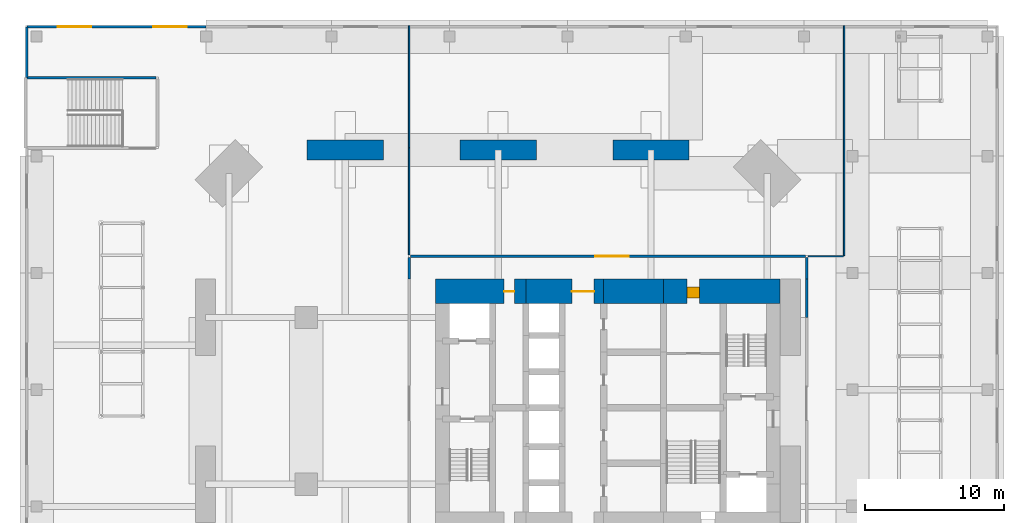
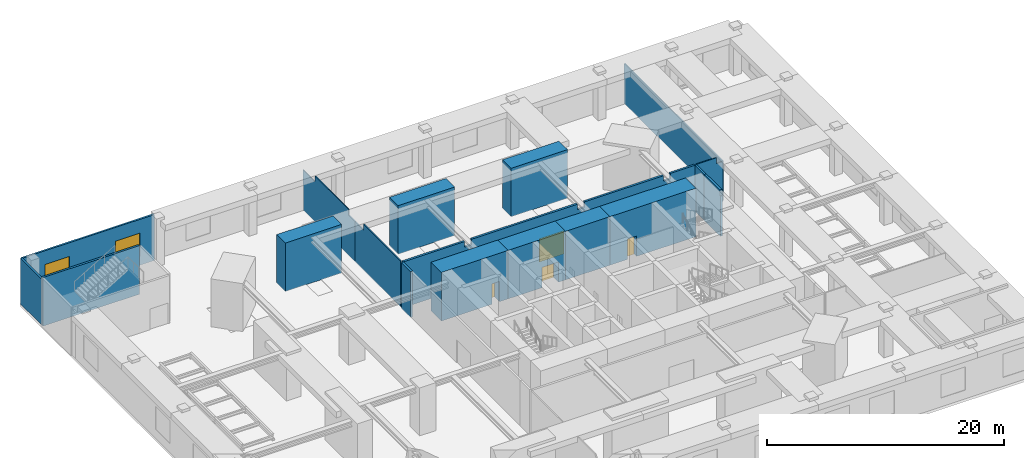
# One storey, part 13 of 17: 18 walls, 4 doors, 2 windows, 6 openings.
"""IFC4 building model written with IfcOpenShell, lengths in metres."""

from ifc_helpers import new_model, si_unit, direction, frame, frame_2d, origin, place, context, subcontext, project, spatial, polyline, rectangle, outline, extrude, material, layer, layer_set, constituent, constituent_set, type_object, element, fill, save


model = new_model("IFC4")

# Units and contexts
model_context = context("Model", 3, precision=1e-05, world=origin(), true_north=direction((0.0, 1.0)))
body_context = subcontext(model_context, "Body", "Model", "MODEL_VIEW")
ifc_project = project(units=[si_unit("LENGTHUNIT", "METRE"), si_unit("AREAUNIT", "SQUARE_METRE"), si_unit("VOLUMEUNIT", "CUBIC_METRE"), si_unit("PLANEANGLEUNIT", "RADIAN"), si_unit("MASSUNIT", "GRAM", prefix="KILO")], contexts=[model_context])

# Site, building, storey
site_placement = place(None, origin())
site = spatial("IfcSite", under=ifc_project, at=site_placement, CompositionType="ELEMENT")
building_placement = place(site_placement, origin())
building = spatial("IfcBuilding", under=site, at=building_placement, Name="Jalousie Tower", CompositionType="ELEMENT")
storey_placement = place(building_placement, frame((0.0, 0.0, 16.0)))
storey = spatial("IfcBuildingStorey", under=building, at=storey_placement, Name="L03", CompositionType="ELEMENT", Elevation=16.0)

# Wall, opening, door
ifc_material_1 = material(Name="Concrete f'c 120 MPa", Category="concrete")
ifc_layer_1 = layer(ifc_material_1, 1.75)
ifc_layer_set_1 = layer_set([ifc_layer_1], Name="Concrete f'c 120 MPa")
wall_type_1 = type_object("IfcWallType", Name="CORE WALL 1750", PredefinedType="SHEAR", material=ifc_layer_set_1)
wall_1_placement = place(storey_placement, frame((44.300048828125, 26.875, 0.0), z_axis=(0.0, 0.0, 1.0), x_axis=(-1.0, 0.0, 0.0)))
wall_1 = element("IfcWall", 1, at=wall_1_placement, inside=storey, type_object=wall_type_1, Name="Core wall NA L03", PredefinedType="SHEAR", context=body_context, shape_type="SweptSolid", body=[
    extrude(rectangle(XDim=8.400146484375, YDim=1.75, at=frame_2d((4.2001953125, 0.0))), origin(), (0.0, 0.0, 1.0), 5.0),
])
opening_1_placement = place(wall_1_placement, frame((5.800048828125, 0.0, 0.0)))
opening_1 = element("IfcOpeningElement", 2, at=opening_1_placement, cuts=wall_1, Name="Opening D26", PredefinedType="OPENING", context=body_context, shape_type="SweptSolid", body=[
    extrude(rectangle(XDim=0.89990234375, YDim=2.10009765625, at=frame_2d((0.449951171875, 1.050048828125))), frame((0.0, 0.885009765625, 0.0), z_axis=(0.0, -1.0, 0.0), x_axis=(1.0, 0.0, 0.0)), (0.0, 0.0, 1.0), 1.77001953125),
])
ifc_material_2 = material(Name="Steel fire door", Category="steel")
door_type_1 = type_object("IfcDoorType", Name="HOUSEKEEPING STORE DOOR 900", OperationType="SINGLE_SWING_LEFT", PredefinedType="DOOR", material=ifc_material_2)
door_1_placement = place(opening_1_placement, origin())
door_1 = element("IfcDoor", 3, at=door_1_placement, inside=storey, type_object=door_type_1, Name="Housekeeping store door", OperationType="SINGLE_SWING_RIGHT", OverallHeight=2.10009765625, OverallWidth=0.89990234375, PredefinedType="DOOR", context=body_context, shape_type="SweptSolid", body=[
    extrude(rectangle(XDim=0.89990234375, YDim=2.10009765625, at=frame_2d((0.449951171875, 1.050048828125))), frame((0.0, 0.47021484375, 0.0), z_axis=(0.0, -1.0, 0.0), x_axis=(1.0, 0.0, 0.0)), (0.0, 0.0, 1.0), 0.800048828125),
])
fill(opening_1, door_1)

# Wall
wall_2_placement = place(storey_placement, frame((35.89990234375, 26.875, 0.0), z_axis=(0.0, 0.0, 1.0), x_axis=(-1.0, 0.0, 0.0)))
element("IfcWall", 4, at=wall_2_placement, inside=storey, type_object=wall_type_1, Name="Core wall NB L03", PredefinedType="SHEAR", context=body_context, shape_type="SweptSolid", body=[
    extrude(rectangle(XDim=4.2998046875, YDim=1.75, at=frame_2d((2.14990234375, 0.0))), origin(), (0.0, 0.0, 1.0), 5.0),
])

# Wall, opening, door
wall_3_placement = place(storey_placement, frame((31.60009765625, 26.875, 0.0), z_axis=(0.0, 0.0, 1.0), x_axis=(-1.0, 0.0, 0.0)))
wall_3 = element("IfcWall", 5, at=wall_3_placement, inside=storey, type_object=wall_type_1, Name="Core wall NC L03", PredefinedType="SHEAR", context=body_context, shape_type="SweptSolid", body=[
    extrude(rectangle(XDim=5.60009765625, YDim=1.75, at=frame_2d((2.800048828125, 0.0))), origin(), (0.0, 0.0, 1.0), 5.0),
])
opening_2_placement = place(wall_3_placement, frame((0.699951171875, 0.0, 0.0)))
opening_2 = element("IfcOpeningElement", 6, at=opening_2_placement, cuts=wall_3, Name="Opening D15", PredefinedType="OPENING", context=body_context, shape_type="SweptSolid", body=[
    extrude(rectangle(XDim=1.60009765625, YDim=2.10009765625, at=frame_2d((0.800048828125, 1.050048828125))), frame((0.0, 0.885009765625, 0.0), z_axis=(0.0, -1.0, 0.0), x_axis=(1.0, 0.0, 0.0)), (0.0, 0.0, 1.0), 1.77001953125),
])
ifc_material_3 = material(Name="Steel fire door", Category="steel")
door_type_2 = type_object("IfcDoorType", Name="LIFT LOBBY DOOR 1600", OperationType="DOUBLE_DOOR_SINGLE_SWING", PredefinedType="DOOR", material=ifc_material_3)
door_2_placement = place(opening_2_placement, origin())
door_2 = element("IfcDoor", 7, at=door_2_placement, inside=storey, type_object=door_type_2, Name="Lift lobby north door", OperationType="DOUBLE_DOOR_SINGLE_SWING", OverallHeight=2.10009765625, OverallWidth=1.60009765625, PredefinedType="DOOR", context=body_context, shape_type="SweptSolid", body=[
    extrude(rectangle(XDim=1.60009765625, YDim=2.10009765625, at=frame_2d((0.800048828125, 1.050048828125))), frame((0.0, 0.02490234375, 0.0), z_axis=(0.0, -1.0, 0.0), x_axis=(1.0, 0.0, 0.0)), (0.0, 0.0, 1.0), 0.050048828125),
])
fill(opening_2, door_2)

wall_4_placement = place(storey_placement, frame((26.0, 26.875, 0.0), z_axis=(0.0, 0.0, 1.0), x_axis=(-1.0, 0.0, 0.0)))
wall_4 = element("IfcWall", 8, at=wall_4_placement, inside=storey, type_object=wall_type_1, Name="Core wall ND L03", PredefinedType="SHEAR", context=body_context, shape_type="SweptSolid", body=[
    extrude(rectangle(XDim=6.5, YDim=1.75, at=frame_2d((3.25, 0.0))), origin(), (0.0, 0.0, 1.0), 5.0),
])
opening_3_placement = place(wall_4_placement, frame((0.824951171875, 0.0, 0.0)))
opening_3 = element("IfcOpeningElement", 9, at=opening_3_placement, cuts=wall_4, Name="Opening D16", PredefinedType="OPENING", context=body_context, shape_type="SweptSolid", body=[
    extrude(rectangle(XDim=0.75, YDim=2.10009765625, at=frame_2d((0.375, 1.050048828125))), frame((0.0, 0.885009765625, 0.0), z_axis=(0.0, -1.0, 0.0), x_axis=(1.0, 0.0, 0.0)), (0.0, 0.0, 1.0), 1.77001953125),
])
ifc_material_4 = material(Name="Steel fire door", Category="steel")
door_type_3 = type_object("IfcDoorType", Name="RISER DOOR 750", OperationType="SINGLE_SWING_LEFT", PredefinedType="DOOR", material=ifc_material_4)
door_3_placement = place(opening_3_placement, origin())
door_3 = element("IfcDoor", 10, at=door_3_placement, inside=storey, type_object=door_type_3, Name="North riser door", OperationType="SINGLE_SWING_RIGHT", OverallHeight=2.10009765625, OverallWidth=0.75, PredefinedType="DOOR", context=body_context, shape_type="SweptSolid", body=[
    extrude(rectangle(XDim=0.75, YDim=2.10009765625, at=frame_2d((0.375, 1.050048828125))), frame((0.0, 0.02490234375, 0.0), z_axis=(0.0, -1.0, 0.0), x_axis=(1.0, 0.0, 0.0)), (0.0, 0.0, 1.0), 0.050048828125),
])
fill(opening_3, door_3)

# Wall
ifc_material_5 = material(Name="Concrete block ASTM C90", Category="concrete")
ifc_constituent_1 = constituent(ifc_material_5, Name="Body")
ifc_material_6 = material(Name="Render")
ifc_constituent_2 = constituent(ifc_material_6, Name="Finish")
ifc_constituent_set_1 = constituent_set(constituents=[ifc_constituent_1, ifc_constituent_2])
wall_type_2 = type_object("IfcWallType", Name="CORRIDOR WALL 200", PredefinedType="PARTITIONING", material=ifc_constituent_set_1)
wall_5_placement = place(storey_placement, frame((17.60009765625, 27.75, 0.0), z_axis=(0.0, 0.0, 1.0), x_axis=(0.0, 1.0, 0.0)))
element("IfcWall", 11, at=wall_5_placement, inside=storey, type_object=wall_type_2, Name="Corridor Wall 200 L03", PredefinedType="PARTITIONING", context=body_context, shape_type="SweptSolid", body=[
    extrude(rectangle(XDim=1.550048828125, YDim=0.199951171875, at=frame_2d((0.77490234375, 0.0))), origin(), (0.0, 0.0, 1.0), 4.719970703125),
])

# Wall, opening, door
wall_6_placement = place(storey_placement, frame((17.699951171875, 29.39990234375, 0.0), z_axis=(0.0, 0.0, 1.0), x_axis=(1.0, 0.0, 0.0)))
wall_6 = element("IfcWall", 12, at=wall_6_placement, inside=storey, type_object=wall_type_2, Name="Corridor Wall 200 L03", PredefinedType="PARTITIONING", context=body_context, shape_type="SweptSolid", body=[
    extrude(outline(polyline([(0.0, 0.0), (28.400146484375, 0.0), (28.39990234375, 4.719970703125), (26.005859375, 4.719970703125), (26.005859375, 4.15087890625), (25.331298828125, 4.15087890625), (25.331298828125, 4.719970703125), (17.63720703125, 4.719970703125), (17.63720703125, 4.15087890625), (16.962646484375, 4.15087890625), (16.962646484375, 4.719970703125), (6.63720703125, 4.719970703125), (6.63720703125, 4.15087890625), (5.962646484375, 4.15087890625), (5.962646484375, 4.719970703125), (0.0, 4.719970703125), (0.0, 0.0)])), frame((0.0, 0.10009765625, 0.0), z_axis=(0.0, -1.0, 0.0), x_axis=(1.0, 0.0, 0.0)), (0.0, 0.0, 1.0), 0.199951171875),
])
opening_4_placement = place(wall_6_placement, frame((13.300048828125, 0.0, 0.0)))
opening_4 = element("IfcOpeningElement", 13, at=opening_4_placement, cuts=wall_6, Name="Opening D9", PredefinedType="OPENING", context=body_context, shape_type="SweptSolid", body=[
    extrude(rectangle(XDim=2.39990234375, YDim=2.39990234375, at=frame_2d((1.199951171875, 1.199951171875))), frame((0.0, 0.10986328125, 0.0), z_axis=(0.0, -1.0, 0.0), x_axis=(1.0, 0.0, 0.0)), (0.0, 0.0, 1.0), 0.219970703125),
])
ifc_material_7 = material(Name="Steel fire door", Category="steel")
door_type_4 = type_object("IfcDoorType", Name="PLANT DOOR 2400", OperationType="DOUBLE_DOOR_SINGLE_SWING", PredefinedType="DOOR", material=ifc_material_7)
door_4_placement = place(opening_4_placement, origin())
door_4 = element("IfcDoor", 14, at=door_4_placement, inside=storey, type_object=door_type_4, Name="Water tank room door", OperationType="DOUBLE_DOOR_SINGLE_SWING", OverallHeight=2.39990234375, OverallWidth=2.39990234375, PredefinedType="DOOR", context=body_context, shape_type="SweptSolid", body=[
    extrude(rectangle(XDim=2.39990234375, YDim=2.39990234375, at=frame_2d((1.199951171875, 1.199951171875))), frame((0.0, 0.02490234375, 0.0), z_axis=(0.0, -1.0, 0.0), x_axis=(1.0, 0.0, 0.0)), (0.0, 0.0, 1.0), 0.050048828125),
])
fill(opening_4, door_4)

# Walls
wall_7_placement = place(storey_placement, frame((46.199951171875, 27.75, 0.0), z_axis=(0.0, 0.0, 1.0), x_axis=(0.0, 1.0, 0.0)))
element("IfcWall", 15, at=wall_7_placement, inside=storey, type_object=wall_type_2, Name="Corridor Wall 200 L03", PredefinedType="PARTITIONING", context=body_context, shape_type="SweptSolid", body=[
    extrude(rectangle(XDim=1.550048828125, YDim=0.199951171875, at=frame_2d((0.77490234375, 0.0))), origin(), (0.0, 0.0, 1.0), 4.719970703125),
])
wall_8_placement = place(storey_placement, frame((46.199951171875, 25.0, 0.0), z_axis=(0.0, 0.0, 1.0), x_axis=(0.0, 1.0, 0.0)))
element("IfcWall", 16, at=wall_8_placement, inside=storey, type_object=wall_type_2, Name="Corridor Wall 200 L03-C", PredefinedType="PARTITIONING", context=body_context, shape_type="SweptSolid", body=[
    extrude(outline(polyline([(0.0, 0.0), (2.75, 0.0), (2.75, 4.719970703125), (0.110107421875, 4.719970703125), (0.110107421875, 4.1201171875), (0.0, 4.1201171875), (0.0, 0.0)])), frame((0.0, 0.10009765625, 0.0), z_axis=(0.0, -1.0, 0.0), x_axis=(1.0, 0.0, 0.0)), (0.0, 0.0, 1.0), 0.199951171875),
])

# Wall, openings, windows
ifc_material_8 = material(Name="Concrete f'c 40 MPa", Category="concrete")
ifc_constituent_3 = constituent(ifc_material_8, Name="Body")
ifc_material_9 = material(Name="Render, pastel coral")
ifc_constituent_4 = constituent(ifc_material_9, Name="Finish")
ifc_constituent_set_2 = constituent_set(constituents=[ifc_constituent_3, ifc_constituent_4])
wall_type_3 = type_object("IfcWallType", Name="EXTERNAL WALL 175 CORAL RENDER", PredefinedType="SOLIDWALL", material=ifc_constituent_set_2)
wall_9_placement = place(storey_placement, frame((3.0, 45.91259765625, 0.0), z_axis=(0.0, 0.0, 1.0), x_axis=(-1.0, 0.0, 0.0)))
wall_9 = element("IfcWall", 17, at=wall_9_placement, inside=storey, type_object=wall_type_3, Name="External Wall 175 Coral Render L03-C", PredefinedType="SOLIDWALL", context=body_context, shape_type="SweptSolid", body=[
    extrude(rectangle(XDim=12.91259765625, YDim=0.175048828125, at=frame_2d((6.456298828125, 0.0))), origin(), (0.0, 0.0, 1.0), 4.719970703125),
])
opening_5_placement = place(wall_9_placement, frame((1.4140625, 0.0, 0.89990234375)))
opening_5 = element("IfcOpeningElement", 18, at=opening_5_placement, cuts=wall_9, Name="Opening W-PLANT", PredefinedType="OPENING", context=body_context, shape_type="SweptSolid", body=[
    extrude(rectangle(XDim=2.39990234375, YDim=2.39990234375, at=frame_2d((1.199951171875, 1.199951171875))), frame((0.0, 0.097412109375, 0.0), z_axis=(0.0, -1.0, 0.0), x_axis=(1.0, 0.0, 0.0)), (0.0, 0.0, 1.0), 0.195068359375),
])
opening_6_placement = place(wall_9_placement, frame((8.27978515625, 0.0, 0.89990234375)))
opening_6 = element("IfcOpeningElement", 19, at=opening_6_placement, cuts=wall_9, Name="Opening W-PLANT", PredefinedType="OPENING", context=body_context, shape_type="SweptSolid", body=[
    extrude(rectangle(XDim=2.39990234375, YDim=2.39990234375, at=frame_2d((1.199951171875, 1.199951171875))), frame((0.0, 0.097412109375, 0.0), z_axis=(0.0, -1.0, 0.0), x_axis=(1.0, 0.0, 0.0)), (0.0, 0.0, 1.0), 0.195068359375),
])
ifc_material_10 = material(Name="Aluminium frame, impact-rated glazing", Category="aluminium")
window_type = type_object("IfcWindowType", Name="WINDOW PLANT 2400x2400", PartitioningType="DOUBLE_PANEL_VERTICAL", PredefinedType="WINDOW", material=ifc_material_10)
window_1_placement = place(opening_5_placement, origin())
window_1 = element("IfcWindow", 20, at=window_1_placement, inside=storey, type_object=window_type, Name="Mechanical plant room louvre", OverallHeight=2.39990234375, OverallWidth=2.39990234375, PartitioningType="SINGLE_PANEL", PredefinedType="WINDOW", context=body_context, shape_type="SweptSolid", body=[
    extrude(rectangle(XDim=2.39990234375, YDim=2.39990234375, at=frame_2d((1.199951171875, 1.199951171875))), frame((0.0, 0.030029296875, 0.0), z_axis=(0.0, -1.0, 0.0), x_axis=(1.0, 0.0, 0.0)), (0.0, 0.0, 1.0), 0.06005859375),
])
fill(opening_5, window_1)
window_2_placement = place(opening_6_placement, origin())
window_2 = element("IfcWindow", 21, at=window_2_placement, inside=storey, type_object=window_type, Name="Mechanical plant room louvre", OverallHeight=2.39990234375, OverallWidth=2.39990234375, PartitioningType="SINGLE_PANEL", PredefinedType="WINDOW", context=body_context, shape_type="SweptSolid", body=[
    extrude(rectangle(XDim=2.39990234375, YDim=2.39990234375, at=frame_2d((1.199951171875, 1.199951171875))), frame((0.0, 0.030029296875, 0.0), z_axis=(0.0, -1.0, 0.0), x_axis=(1.0, 0.0, 0.0)), (0.0, 0.0, 1.0), 0.06005859375),
])
fill(opening_6, window_2)

# Walls
wall_10_placement = place(storey_placement, frame((-9.91259765625, 45.91259765625, 0.0), z_axis=(0.0, 0.0, 1.0), x_axis=(0.0, -1.0, 0.0)))
element("IfcWall", 22, at=wall_10_placement, inside=storey, type_object=wall_type_3, Name="External Wall 175 Coral Render L03", PredefinedType="SOLIDWALL", context=body_context, shape_type="SweptSolid", body=[
    extrude(rectangle(XDim=3.66259765625, YDim=0.175048828125, at=frame_2d((1.831298828125, 0.0))), origin(), (0.0, 0.0, 1.0), 4.719970703125),
])
ifc_material_11 = material(Name="Gypsum board", Category="gypsum")
ifc_constituent_5 = constituent(ifc_material_11, Name="Body")
ifc_material_12 = material(Name="Light-gauge steel studs ASTM A653 SS Grade 33", Category="steel")
ifc_constituent_6 = constituent(ifc_material_12, Name="Framing")
ifc_constituent_set_3 = constituent_set(constituents=[ifc_constituent_5, ifc_constituent_6])
wall_type_4 = type_object("IfcWallType", Name="PARTITION 100", PredefinedType="PARTITIONING", material=ifc_constituent_set_3)
wall_11_placement = place(storey_placement, frame((17.60009765625, 29.5, 0.0), z_axis=(0.0, 0.0, 1.0), x_axis=(0.0, 1.0, 0.0)))
element("IfcWall", 23, at=wall_11_placement, inside=storey, type_object=wall_type_4, Name="Partition 100 L03", PredefinedType="PARTITIONING", context=body_context, shape_type="SweptSolid", body=[
    extrude(outline(polyline([(0.0, 0.0), (7.699951171875, 0.0), (7.699951171875, 4.719970703125), (7.699951171875, 4.1201171875), (6.2900390625, 4.1201171875), (6.2900390625, 4.719970703125), (0.0, 4.719970703125), (0.0, 0.0)])), frame((0.0, 0.050048828125, 0.0), z_axis=(0.0, -1.0, 0.0), x_axis=(1.0, 0.0, 0.0)), (0.0, 0.0, 1.0), 0.10009765625),
])
wall_12_placement = place(storey_placement, frame((17.60009765625, 37.199951171875, 0.0), z_axis=(0.0, 0.0, 1.0), x_axis=(0.0, 1.0, 0.0)))
element("IfcWall", 24, at=wall_12_placement, inside=storey, type_object=wall_type_4, Name="Partition 100 L03", PredefinedType="PARTITIONING", context=body_context, shape_type="SweptSolid", body=[
    extrude(outline(polyline([(0.0, 0.0), (8.800048828125, 0.0), (8.800048828125, 4.719970703125), (8.800048828125, 4.1201171875), (6.739990234375, 4.1201171875), (6.739990234375, 4.719970703125), (1.110107421875, 4.719970703125), (1.110107421875, 4.1201171875), (0.0, 4.1201171875), (0.0, 4.719970703125), (0.0, 0.0)])), frame((0.0, 0.050048828125, 0.0), z_axis=(0.0, -1.0, 0.0), x_axis=(1.0, 0.0, 0.0)), (0.0, 0.0, 1.0), 0.10009765625),
])
wall_13_placement = place(storey_placement, frame((46.300048828125, 29.39990234375, 0.0), z_axis=(0.0, 0.0, 1.0), x_axis=(1.0, 0.0, 0.0)))
element("IfcWall", 25, at=wall_13_placement, inside=storey, type_object=wall_type_4, Name="Partition 100 L03", PredefinedType="PARTITIONING", context=body_context, shape_type="SweptSolid", body=[
    extrude(outline(polyline([(0.0, 0.0), (2.550048828125, 0.0), (2.550048828125, 4.719970703125), (2.550048828125, 4.1201171875), (1.93994140625, 4.1201171875), (1.93994140625, 4.719970703125), (0.0, 4.719970703125), (0.0, 0.0)])), frame((0.0, 0.050048828125, 0.0), z_axis=(0.0, -1.0, 0.0), x_axis=(1.0, 0.0, 0.0)), (0.0, 0.0, 1.0), 0.10009765625),
])
wall_14_placement = place(storey_placement, frame((48.89990234375, 29.449951171875, 0.0), z_axis=(0.0, 0.0, 1.0), x_axis=(0.0, 1.0, 0.0)))
element("IfcWall", 26, at=wall_14_placement, inside=storey, type_object=wall_type_4, Name="Partition 100 L03", PredefinedType="PARTITIONING", context=body_context, shape_type="SweptSolid", body=[
    extrude(outline(polyline([(0.0, 0.0), (16.550048828125, 0.0), (16.550048828125, 4.719970703125), (16.550048828125, 4.1201171875), (15.81005859375, 4.1201171875), (8.409912109375, 4.1201171875), (7.2099609375, 4.1201171875), (0.0, 4.1201171875), (0.0, 4.719970703125), (0.0, 0.0)])), frame((0.0, 0.050048828125, 0.0), z_axis=(0.0, -1.0, 0.0), x_axis=(1.0, 0.0, 0.0)), (0.0, 0.0, 1.0), 0.10009765625),
])
ifc_material_13 = material(Name="Concrete f'c 120 MPa", Category="concrete")
ifc_layer_2 = layer(ifc_material_13, 1.449951171875)
ifc_layer_set_2 = layer_set([ifc_layer_2], Name="Concrete f'c 120 MPa")
wall_type_5 = type_object("IfcWallType", Name="RC WALL PIER 1450", PredefinedType="SHEAR", material=ifc_layer_set_2)
for number, where, z_axis, x_axis, name in (
    (27, (32.25, 37.050048828125, 0.0), (0.0, 0.0, 1.0), (1.0, 0.0, 0.0), "Wall pier 09 L03"),
    (28, (21.25, 37.050048828125, 0.0), (0.0, 0.0, 1.0), (1.0, 0.0, 0.0), "Wall pier 10 L03"),
    (29, (10.25, 37.050048828125, 0.0), (0.0, 0.0, 1.0), (1.0, 0.0, 0.0), "Wall pier 11 L03"),
):
    element("IfcWall", number, at=place(storey_placement, frame(where, z_axis=z_axis, x_axis=x_axis)), inside=storey, type_object=wall_type_5, Name=name, PredefinedType="SHEAR", context=body_context, shape_type="SweptSolid", body=[
        extrude(rectangle(XDim=5.5, YDim=1.449951171875, at=frame_2d((2.75, 0.0))), origin(), (0.0, 0.0, 1.0), 5.0),
    ])
ifc_material_14 = material(Name="Concrete block ASTM C90", Category="concrete")
ifc_constituent_7 = constituent(ifc_material_14, Name="Body")
ifc_material_15 = material(Name="Render")
ifc_constituent_8 = constituent(ifc_material_15, Name="Finish")
ifc_constituent_set_4 = constituent_set(constituents=[ifc_constituent_7, ifc_constituent_8])
wall_type_6 = type_object("IfcWallType", Name="STAIR WALL 200", PredefinedType="SOLIDWALL", material=ifc_constituent_set_4)
wall_15_placement = place(storey_placement, frame((-10.0, 42.25, 0.0), z_axis=(0.0, 0.0, 1.0), x_axis=(1.0, 0.0, 0.0)))
element("IfcWall", 30, at=wall_15_placement, inside=storey, type_object=wall_type_6, Name="Stair Wall 200 L03", PredefinedType="SOLIDWALL", context=body_context, shape_type="SweptSolid", body=[
    extrude(rectangle(XDim=9.39990234375, YDim=0.199951171875, at=frame_2d((4.699951171875, 0.0))), origin(), (0.0, 0.0, 1.0), 5.0),
])

save(model, "model.ifc")
